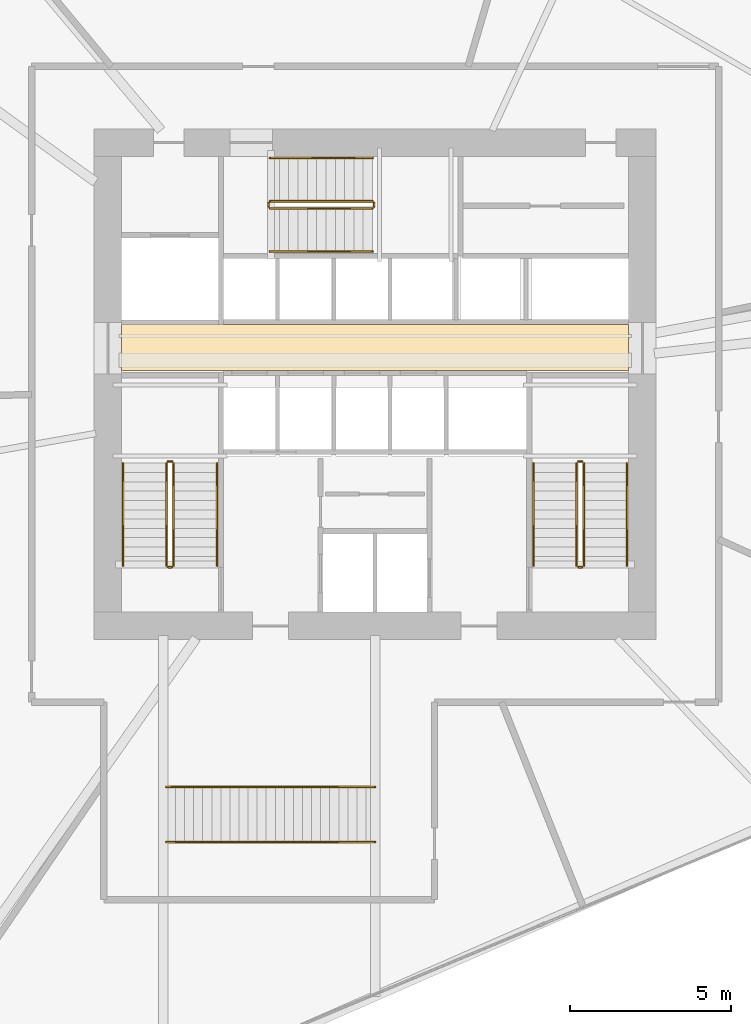
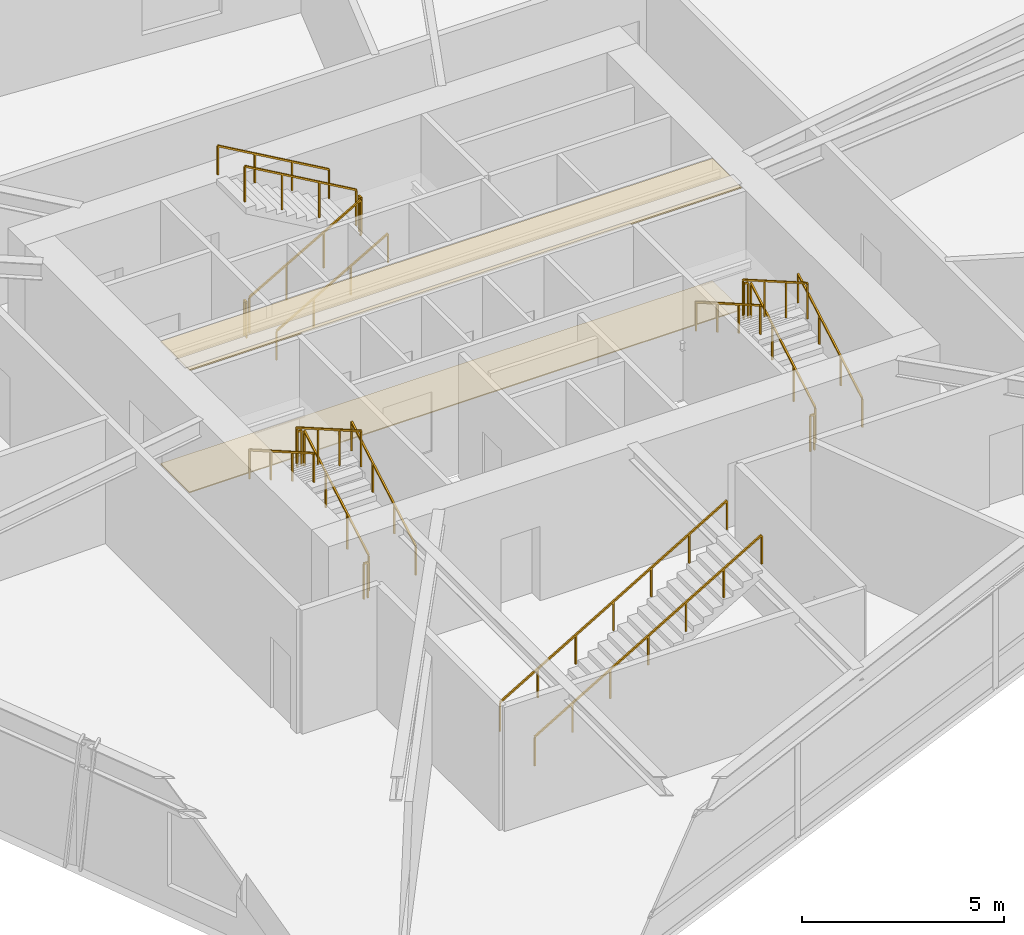
# One storey, part 17 of 19: 20 railings, 2 coverings.
"""IFC4 building model written with IfcOpenShell, lengths in metres."""

from ifc_helpers import new_model, si_unit, direction, frame, origin, origin_2d, place, context, subcontext, project, spatial, polyline, rectangle, outline, extrude, material, layer, layer_set, type_object, element, save


model = new_model("IFC4")

# Units and contexts
model_context = context("Model", 3, precision=1e-05, world=origin(), true_north=direction((0.0, 1.0)))
body_context = subcontext(model_context, "Body", "Model", "MODEL_VIEW")
ifc_project = project(units=[si_unit("LENGTHUNIT", "METRE"), si_unit("AREAUNIT", "SQUARE_METRE"), si_unit("VOLUMEUNIT", "CUBIC_METRE"), si_unit("PLANEANGLEUNIT", "RADIAN"), si_unit("MASSUNIT", "GRAM", prefix="KILO")], contexts=[model_context])

# Site, building, storey
site_placement = place(None, origin())
site = spatial("IfcSite", under=ifc_project, at=site_placement, CompositionType="ELEMENT")
building_placement = place(site_placement, origin())
building = spatial("IfcBuilding", under=site, at=building_placement, Name="Olszyna Solenne Hotel", CompositionType="ELEMENT")
storey_placement = place(building_placement, frame((0.0, 0.0, 71.89990234375)))
storey = spatial("IfcBuildingStorey", under=building, at=storey_placement, Name="L18", CompositionType="ELEMENT", Elevation=71.89990234375)

# Coverings
ifc_material_1 = material(Name="Mineral wool acoustic ceiling")
ifc_layer_1 = layer(ifc_material_1, 0.0400390625, Name="Mineral wool acoustic ceiling")
ifc_layer_set_1 = layer_set([ifc_layer_1], Name="Mineral wool acoustic ceiling")
covering_type_1 = type_object("IfcCoveringType", Name="CL-AC1", PredefinedType="CEILING", material=ifc_layer_set_1)
covering_1_placement = place(storey_placement, frame((0.0, 0.0, 3.690185546875)))
element("IfcCovering", 1, at=covering_1_placement, inside=storey, type_object=covering_type_1, Name="Lift lobby acoustic tile ceiling CL-L18-01", PredefinedType="CEILING", context=body_context, shape_type="SweptSolid", body=[
    extrude(outline(polyline([(30.10009765625, 27.030029296875), (45.89990234375, 27.030029296875), (45.89990234375, 28.4599609375), (30.10009765625, 28.4599609375), (30.10009765625, 27.030029296875)])), origin(), (0.0, 0.0, 1.0), 0.039794921875),
])
ifc_material_2 = material(Name="Ceramic floor tile")
ifc_layer_2 = layer(ifc_material_2, 0.030029296875, Name="Ceramic floor tile")
ifc_layer_set_2 = layer_set([ifc_layer_2], Name="Ceramic floor tile")
covering_type_2 = type_object("IfcCoveringType", Name="FL-TL1", PredefinedType="FLOORING", material=ifc_layer_set_2)
covering_2_placement = place(storey_placement, origin())
element("IfcCovering", 2, at=covering_2_placement, inside=storey, type_object=covering_type_2, Name="Lift lobby stoneware floor finish FLR-L18-01", PredefinedType="FLOORING", context=body_context, shape_type="SweptSolid", body=[
    extrude(outline(polyline([(30.10009765625, 27.030029296875), (45.89990234375, 27.030029296875), (45.89990234375, 28.4599609375), (30.10009765625, 28.4599609375), (30.10009765625, 27.030029296875)])), origin(), (0.0, 0.0, 1.0), 0.030029296875),
])

# Railings
ifc_material_3 = material(Name="Anodised bronze aluminium", Category="aluminium")
railing_type_1 = type_object("IfcRailingType", Name="GR-110", PredefinedType="BALUSTRADE", material=ifc_material_3)
railing_1_placement = place(storey_placement, frame((31.719970703125, 20.949951171875, 0.166748046875)))
element("IfcRailing", 3, at=railing_1_placement, inside=storey, type_object=railing_type_1, Name="L18 ST1 stair guard 1", PredefinedType="BALUSTRADE", context=body_context, shape_type="SweptSolid", body=[
    extrude(rectangle(XDim=0.048095703125, YDim=0.048095703125, at=origin_2d()), frame((0.0, 0.0, 1.076171875), z_axis=(0.0, 0.867019545617, 0.498274128887), x_axis=(-1.0, 0.0, 0.0)), (0.0, 0.0, 1.0), 3.67919921875),
    extrude(rectangle(XDim=0.0419921875, YDim=0.0419921875, at=origin_2d()), origin(), (0.0, 0.0, 1.0), 1.052001953125),
    extrude(rectangle(XDim=0.0419921875, YDim=0.0419921875, at=origin_2d()), frame((0.0, 1.063232421875, 0.611083984375)), (0.0, 0.0, 1.0), 1.052001953125),
    extrude(rectangle(XDim=0.0419921875, YDim=0.0419921875, at=origin_2d()), frame((0.0, 2.126708984375, 1.22216796875)), (0.0, 0.0, 1.0), 1.052001953125),
    extrude(rectangle(XDim=0.0419921875, YDim=0.0419921875, at=origin_2d()), frame((0.0, 3.18994140625, 1.833251953125)), (0.0, 0.0, 1.0), 1.052001953125),
])
railing_2_placement = place(storey_placement, frame((31.669921875, 24.18994140625, 2.0)))
element("IfcRailing", 4, at=railing_2_placement, inside=storey, type_object=railing_type_1, Name="L18 ST1 stair guard 2", PredefinedType="BALUSTRADE", context=body_context, shape_type="SweptSolid", body=[
    extrude(rectangle(XDim=0.048095703125, YDim=0.048095703125, at=origin_2d()), frame((0.0, 0.0, 1.076171875), z_axis=(-1.0, 0.0, 0.0), x_axis=(0.0, -1.0, 0.0)), (0.0, 0.0, 1.0), 0.119873046875),
    extrude(rectangle(XDim=0.0419921875, YDim=0.0419921875, at=origin_2d()), origin(), (0.0, 0.0, 1.0), 1.052001953125),
    extrude(rectangle(XDim=0.0419921875, YDim=0.0419921875, at=origin_2d()), frame((-0.119873046875, 0.0, 0.0)), (0.0, 0.0, 1.0), 1.052001953125),
])
railing_3_placement = place(storey_placement, frame((31.5, 24.139892578125, 2.166748046875)))
element("IfcRailing", 5, at=railing_3_placement, inside=storey, type_object=railing_type_1, Name="L18 ST1 stair guard 3", PredefinedType="BALUSTRADE", context=body_context, shape_type="SweptSolid", body=[
    extrude(rectangle(XDim=0.048095703125, YDim=0.048095703125, at=origin_2d()), frame((0.0, 0.0, 1.076171875), z_axis=(0.0, -0.867019545617, 0.498274128887), x_axis=(1.0, 0.0, 0.0)), (0.0, 0.0, 1.0), 3.67919921875),
    extrude(rectangle(XDim=0.0419921875, YDim=0.0419921875, at=origin_2d()), origin(), (0.0, 0.0, 1.0), 1.052001953125),
    extrude(rectangle(XDim=0.0419921875, YDim=0.0419921875, at=origin_2d()), frame((0.0, -1.063232421875, 0.611083984375)), (0.0, 0.0, 1.0), 1.052001953125),
    extrude(rectangle(XDim=0.0419921875, YDim=0.0419921875, at=origin_2d()), frame((0.0, -2.126708984375, 1.22216796875)), (0.0, 0.0, 1.0), 1.052001953125),
    extrude(rectangle(XDim=0.0419921875, YDim=0.0419921875, at=origin_2d()), frame((0.0, -3.18994140625, 1.833251953125)), (0.0, 0.0, 1.0), 1.052001953125),
])
railing_4_placement = place(storey_placement, frame((31.669921875, 20.89990234375, 0.0)))
element("IfcRailing", 6, at=railing_4_placement, inside=storey, type_object=railing_type_1, Name="L18 ST1 stair guard 4", PredefinedType="BALUSTRADE", context=body_context, shape_type="SweptSolid", body=[
    extrude(rectangle(XDim=0.048095703125, YDim=0.048095703125, at=origin_2d()), frame((0.0, 0.0, 1.076171875), z_axis=(-1.0, 0.0, 0.0), x_axis=(0.0, -1.0, 0.0)), (0.0, 0.0, 1.0), 0.119873046875),
    extrude(rectangle(XDim=0.0419921875, YDim=0.0419921875, at=origin_2d()), origin(), (0.0, 0.0, 1.0), 1.052001953125),
    extrude(rectangle(XDim=0.0419921875, YDim=0.0419921875, at=origin_2d()), frame((-0.119873046875, 0.0, 0.0)), (0.0, 0.0, 1.0), 1.052001953125),
])
railing_5_placement = place(storey_placement, frame((44.5, 20.949951171875, 0.166748046875)))
element("IfcRailing", 7, at=railing_5_placement, inside=storey, type_object=railing_type_1, Name="L18 ST2 stair guard 1", PredefinedType="BALUSTRADE", context=body_context, shape_type="SweptSolid", body=[
    extrude(rectangle(XDim=0.048095703125, YDim=0.048095703125, at=origin_2d()), frame((0.0, 0.0, 1.076171875), z_axis=(0.0, 0.867019545617, 0.498274128887), x_axis=(-1.0, 0.0, 0.0)), (0.0, 0.0, 1.0), 3.67919921875),
    extrude(rectangle(XDim=0.0419921875, YDim=0.0419921875, at=origin_2d()), origin(), (0.0, 0.0, 1.0), 1.052001953125),
    extrude(rectangle(XDim=0.0419921875, YDim=0.0419921875, at=origin_2d()), frame((0.0, 1.063232421875, 0.611083984375)), (0.0, 0.0, 1.0), 1.052001953125),
    extrude(rectangle(XDim=0.0419921875, YDim=0.0419921875, at=origin_2d()), frame((0.0, 2.126708984375, 1.22216796875)), (0.0, 0.0, 1.0), 1.052001953125),
    extrude(rectangle(XDim=0.0419921875, YDim=0.0419921875, at=origin_2d()), frame((0.0, 3.18994140625, 1.833251953125)), (0.0, 0.0, 1.0), 1.052001953125),
])
railing_6_placement = place(storey_placement, frame((44.449951171875, 24.18994140625, 2.0)))
element("IfcRailing", 8, at=railing_6_placement, inside=storey, type_object=railing_type_1, Name="L18 ST2 stair guard 2", PredefinedType="BALUSTRADE", context=body_context, shape_type="SweptSolid", body=[
    extrude(rectangle(XDim=0.048095703125, YDim=0.048095703125, at=origin_2d()), frame((0.0, 0.0, 1.076171875), z_axis=(-1.0, 0.0, 0.0), x_axis=(0.0, -1.0, 0.0)), (0.0, 0.0, 1.0), 0.119873046875),
    extrude(rectangle(XDim=0.0419921875, YDim=0.0419921875, at=origin_2d()), origin(), (0.0, 0.0, 1.0), 1.052001953125),
    extrude(rectangle(XDim=0.0419921875, YDim=0.0419921875, at=origin_2d()), frame((-0.119873046875, 0.0, 0.0)), (0.0, 0.0, 1.0), 1.052001953125),
])
railing_7_placement = place(storey_placement, frame((44.280029296875, 24.139892578125, 2.166748046875)))
element("IfcRailing", 9, at=railing_7_placement, inside=storey, type_object=railing_type_1, Name="L18 ST2 stair guard 3", PredefinedType="BALUSTRADE", context=body_context, shape_type="SweptSolid", body=[
    extrude(rectangle(XDim=0.048095703125, YDim=0.048095703125, at=origin_2d()), frame((0.0, 0.0, 1.076171875), z_axis=(0.0, -0.867019545617, 0.498274128887), x_axis=(1.0, 0.0, 0.0)), (0.0, 0.0, 1.0), 3.67919921875),
    extrude(rectangle(XDim=0.0419921875, YDim=0.0419921875, at=origin_2d()), origin(), (0.0, 0.0, 1.0), 1.052001953125),
    extrude(rectangle(XDim=0.0419921875, YDim=0.0419921875, at=origin_2d()), frame((0.0, -1.063232421875, 0.611083984375)), (0.0, 0.0, 1.0), 1.052001953125),
    extrude(rectangle(XDim=0.0419921875, YDim=0.0419921875, at=origin_2d()), frame((0.0, -2.126708984375, 1.22216796875)), (0.0, 0.0, 1.0), 1.052001953125),
    extrude(rectangle(XDim=0.0419921875, YDim=0.0419921875, at=origin_2d()), frame((0.0, -3.18994140625, 1.833251953125)), (0.0, 0.0, 1.0), 1.052001953125),
])
railing_8_placement = place(storey_placement, frame((44.449951171875, 20.89990234375, 0.0)))
element("IfcRailing", 10, at=railing_8_placement, inside=storey, type_object=railing_type_1, Name="L18 ST2 stair guard 4", PredefinedType="BALUSTRADE", context=body_context, shape_type="SweptSolid", body=[
    extrude(rectangle(XDim=0.048095703125, YDim=0.048095703125, at=origin_2d()), frame((0.0, 0.0, 1.076171875), z_axis=(-1.0, 0.0, 0.0), x_axis=(0.0, -1.0, 0.0)), (0.0, 0.0, 1.0), 0.119873046875),
    extrude(rectangle(XDim=0.0419921875, YDim=0.0419921875, at=origin_2d()), origin(), (0.0, 0.0, 1.0), 1.052001953125),
    extrude(rectangle(XDim=0.0419921875, YDim=0.0419921875, at=origin_2d()), frame((-0.119873046875, 0.0, 0.0)), (0.0, 0.0, 1.0), 1.052001953125),
])
railing_9_placement = place(storey_placement, frame((34.72998046875, 32.080078125, 0.166748046875)))
element("IfcRailing", 11, at=railing_9_placement, inside=storey, type_object=railing_type_1, Name="L18 ST3 stair guard 1", PredefinedType="BALUSTRADE", context=body_context, shape_type="SweptSolid", body=[
    extrude(rectangle(XDim=0.048095703125, YDim=0.048095703125, at=origin_2d()), frame((0.0, 0.0, 1.076171875), z_axis=(0.867019545617, 0.0, 0.498274128887), x_axis=(0.0, 1.0, 0.0)), (0.0, 0.0, 1.0), 3.67919921875),
    extrude(rectangle(XDim=0.0419921875, YDim=0.0419921875, at=origin_2d()), origin(), (0.0, 0.0, 1.0), 1.052001953125),
    extrude(rectangle(XDim=0.0419921875, YDim=0.0419921875, at=origin_2d()), frame((1.063232421875, 0.0, 0.611083984375)), (0.0, 0.0, 1.0), 1.052001953125),
    extrude(rectangle(XDim=0.0419921875, YDim=0.0419921875, at=origin_2d()), frame((2.126708984375, 0.0, 1.22216796875)), (0.0, 0.0, 1.0), 1.052001953125),
    extrude(rectangle(XDim=0.0419921875, YDim=0.0419921875, at=origin_2d()), frame((3.18994140625, 0.0, 1.833251953125)), (0.0, 0.0, 1.0), 1.052001953125),
])
railing_10_placement = place(storey_placement, frame((37.969970703125, 32.1298828125, 2.0)))
element("IfcRailing", 12, at=railing_10_placement, inside=storey, type_object=railing_type_1, Name="L18 ST3 stair guard 2", PredefinedType="BALUSTRADE", context=body_context, shape_type="SweptSolid", body=[
    extrude(rectangle(XDim=0.048095703125, YDim=0.048095703125, at=origin_2d()), frame((0.0, 0.0, 1.076171875), z_axis=(0.0, 1.0, 0.0), x_axis=(-1.0, 0.0, 0.0)), (0.0, 0.0, 1.0), 0.1201171875),
    extrude(rectangle(XDim=0.0419921875, YDim=0.0419921875, at=origin_2d()), origin(), (0.0, 0.0, 1.0), 1.052001953125),
    extrude(rectangle(XDim=0.0419921875, YDim=0.0419921875, at=origin_2d()), frame((0.0, 0.1201171875, 0.0)), (0.0, 0.0, 1.0), 1.052001953125),
])
railing_11_placement = place(storey_placement, frame((37.919921875, 32.300048828125, 2.166748046875)))
element("IfcRailing", 13, at=railing_11_placement, inside=storey, type_object=railing_type_1, Name="L18 ST3 stair guard 3", PredefinedType="BALUSTRADE", context=body_context, shape_type="SweptSolid", body=[
    extrude(rectangle(XDim=0.048095703125, YDim=0.048095703125, at=origin_2d()), frame((0.0, 0.0, 1.076171875), z_axis=(-0.867019545617, 0.0, 0.498274128887), x_axis=(0.0, -1.0, 0.0)), (0.0, 0.0, 1.0), 3.67919921875),
    extrude(rectangle(XDim=0.0419921875, YDim=0.0419921875, at=origin_2d()), origin(), (0.0, 0.0, 1.0), 1.052001953125),
    extrude(rectangle(XDim=0.0419921875, YDim=0.0419921875, at=origin_2d()), frame((-1.063232421875, 0.0, 0.611083984375)), (0.0, 0.0, 1.0), 1.052001953125),
    extrude(rectangle(XDim=0.0419921875, YDim=0.0419921875, at=origin_2d()), frame((-2.126708984375, 0.0, 1.22216796875)), (0.0, 0.0, 1.0), 1.052001953125),
    extrude(rectangle(XDim=0.0419921875, YDim=0.0419921875, at=origin_2d()), frame((-3.18994140625, 0.0, 1.833251953125)), (0.0, 0.0, 1.0), 1.052001953125),
])
railing_12_placement = place(storey_placement, frame((34.679931640625, 32.1298828125, 0.0)))
element("IfcRailing", 14, at=railing_12_placement, inside=storey, type_object=railing_type_1, Name="L18 ST3 stair guard 4", PredefinedType="BALUSTRADE", context=body_context, shape_type="SweptSolid", body=[
    extrude(rectangle(XDim=0.048095703125, YDim=0.048095703125, at=origin_2d()), frame((0.0, 0.0, 1.076171875), z_axis=(0.0, 1.0, 0.0), x_axis=(-1.0, 0.0, 0.0)), (0.0, 0.0, 1.0), 0.1201171875),
    extrude(rectangle(XDim=0.0419921875, YDim=0.0419921875, at=origin_2d()), origin(), (0.0, 0.0, 1.0), 1.052001953125),
    extrude(rectangle(XDim=0.0419921875, YDim=0.0419921875, at=origin_2d()), frame((0.0, 0.1201171875, 0.0)), (0.0, 0.0, 1.0), 1.052001953125),
])
ifc_material_4 = material(Name="Steel S355J2", Category="steel")
railing_type_2 = type_object("IfcRailingType", Name="HR-090", PredefinedType="HANDRAIL", material=ifc_material_4)
railing_13_placement = place(storey_placement, frame((33.070068359375, 20.949951171875, 0.166748046875)))
element("IfcRailing", 15, at=railing_13_placement, inside=storey, type_object=railing_type_2, Name="L18 ST1 stair handrail 1", PredefinedType="HANDRAIL", context=body_context, shape_type="SweptSolid", body=[
    extrude(rectangle(XDim=0.048095703125, YDim=0.048095703125, at=origin_2d()), frame((0.0, 0.0, 0.8759765625), z_axis=(0.0, 0.867019545617, 0.498274128887), x_axis=(-1.0, 0.0, 0.0)), (0.0, 0.0, 1.0), 3.67919921875),
    extrude(rectangle(XDim=0.0419921875, YDim=0.0419921875, at=origin_2d()), origin(), (0.0, 0.0, 1.0), 0.851806640625),
    extrude(rectangle(XDim=0.0419921875, YDim=0.0419921875, at=origin_2d()), frame((0.0, 1.063232421875, 0.611083984375)), (0.0, 0.0, 1.0), 0.851806640625),
    extrude(rectangle(XDim=0.0419921875, YDim=0.0419921875, at=origin_2d()), frame((0.0, 2.126708984375, 1.22216796875)), (0.0, 0.0, 1.0), 0.851806640625),
    extrude(rectangle(XDim=0.0419921875, YDim=0.0419921875, at=origin_2d()), frame((0.0, 3.18994140625, 1.833251953125)), (0.0, 0.0, 1.0), 0.851806640625),
])
railing_14_placement = place(storey_placement, frame((30.14990234375, 24.139892578125, 2.166748046875)))
element("IfcRailing", 16, at=railing_14_placement, inside=storey, type_object=railing_type_2, Name="L18 ST1 stair handrail 2", PredefinedType="HANDRAIL", context=body_context, shape_type="SweptSolid", body=[
    extrude(rectangle(XDim=0.048095703125, YDim=0.048095703125, at=origin_2d()), frame((0.0, 0.0, 0.8759765625), z_axis=(0.0, -0.867019545617, 0.498274128887), x_axis=(1.0, 0.0, 0.0)), (0.0, 0.0, 1.0), 3.67919921875),
    extrude(rectangle(XDim=0.0419921875, YDim=0.0419921875, at=origin_2d()), origin(), (0.0, 0.0, 1.0), 0.851806640625),
    extrude(rectangle(XDim=0.0419921875, YDim=0.0419921875, at=origin_2d()), frame((0.0, -1.063232421875, 0.611083984375)), (0.0, 0.0, 1.0), 0.851806640625),
    extrude(rectangle(XDim=0.0419921875, YDim=0.0419921875, at=origin_2d()), frame((0.0, -2.126708984375, 1.22216796875)), (0.0, 0.0, 1.0), 0.851806640625),
    extrude(rectangle(XDim=0.0419921875, YDim=0.0419921875, at=origin_2d()), frame((0.0, -3.18994140625, 1.833251953125)), (0.0, 0.0, 1.0), 0.851806640625),
])
railing_15_placement = place(storey_placement, frame((45.85009765625, 20.949951171875, 0.166748046875)))
element("IfcRailing", 17, at=railing_15_placement, inside=storey, type_object=railing_type_2, Name="L18 ST2 stair handrail 1", PredefinedType="HANDRAIL", context=body_context, shape_type="SweptSolid", body=[
    extrude(rectangle(XDim=0.048095703125, YDim=0.048095703125, at=origin_2d()), frame((0.0, 0.0, 0.8759765625), z_axis=(0.0, 0.867019545617, 0.498274128887), x_axis=(-1.0, 0.0, 0.0)), (0.0, 0.0, 1.0), 3.67919921875),
    extrude(rectangle(XDim=0.0419921875, YDim=0.0419921875, at=origin_2d()), origin(), (0.0, 0.0, 1.0), 0.851806640625),
    extrude(rectangle(XDim=0.0419921875, YDim=0.0419921875, at=origin_2d()), frame((0.0, 1.063232421875, 0.611083984375)), (0.0, 0.0, 1.0), 0.851806640625),
    extrude(rectangle(XDim=0.0419921875, YDim=0.0419921875, at=origin_2d()), frame((0.0, 2.126708984375, 1.22216796875)), (0.0, 0.0, 1.0), 0.851806640625),
    extrude(rectangle(XDim=0.0419921875, YDim=0.0419921875, at=origin_2d()), frame((0.0, 3.18994140625, 1.833251953125)), (0.0, 0.0, 1.0), 0.851806640625),
])
railing_16_placement = place(storey_placement, frame((42.929931640625, 24.139892578125, 2.166748046875)))
element("IfcRailing", 18, at=railing_16_placement, inside=storey, type_object=railing_type_2, Name="L18 ST2 stair handrail 2", PredefinedType="HANDRAIL", context=body_context, shape_type="SweptSolid", body=[
    extrude(rectangle(XDim=0.048095703125, YDim=0.048095703125, at=origin_2d()), frame((0.0, 0.0, 0.8759765625), z_axis=(0.0, -0.867019545617, 0.498274128887), x_axis=(1.0, 0.0, 0.0)), (0.0, 0.0, 1.0), 3.67919921875),
    extrude(rectangle(XDim=0.0419921875, YDim=0.0419921875, at=origin_2d()), origin(), (0.0, 0.0, 1.0), 0.851806640625),
    extrude(rectangle(XDim=0.0419921875, YDim=0.0419921875, at=origin_2d()), frame((0.0, -1.063232421875, 0.611083984375)), (0.0, 0.0, 1.0), 0.851806640625),
    extrude(rectangle(XDim=0.0419921875, YDim=0.0419921875, at=origin_2d()), frame((0.0, -2.126708984375, 1.22216796875)), (0.0, 0.0, 1.0), 0.851806640625),
    extrude(rectangle(XDim=0.0419921875, YDim=0.0419921875, at=origin_2d()), frame((0.0, -3.18994140625, 1.833251953125)), (0.0, 0.0, 1.0), 0.851806640625),
])
railing_17_placement = place(storey_placement, frame((34.72998046875, 30.72998046875, 0.166748046875)))
element("IfcRailing", 19, at=railing_17_placement, inside=storey, type_object=railing_type_2, Name="L18 ST3 stair handrail 1", PredefinedType="HANDRAIL", context=body_context, shape_type="SweptSolid", body=[
    extrude(rectangle(XDim=0.048095703125, YDim=0.048095703125, at=origin_2d()), frame((0.0, 0.0, 0.8759765625), z_axis=(0.867019545617, 0.0, 0.498274128887), x_axis=(0.0, 1.0, 0.0)), (0.0, 0.0, 1.0), 3.67919921875),
    extrude(rectangle(XDim=0.0419921875, YDim=0.0419921875, at=origin_2d()), origin(), (0.0, 0.0, 1.0), 0.851806640625),
    extrude(rectangle(XDim=0.0419921875, YDim=0.0419921875, at=origin_2d()), frame((1.063232421875, 0.0, 0.611083984375)), (0.0, 0.0, 1.0), 0.851806640625),
    extrude(rectangle(XDim=0.0419921875, YDim=0.0419921875, at=origin_2d()), frame((2.126708984375, 0.0, 1.22216796875)), (0.0, 0.0, 1.0), 0.851806640625),
    extrude(rectangle(XDim=0.0419921875, YDim=0.0419921875, at=origin_2d()), frame((3.18994140625, 0.0, 1.833251953125)), (0.0, 0.0, 1.0), 0.851806640625),
])
railing_18_placement = place(storey_placement, frame((37.919921875, 33.64990234375, 2.166748046875)))
element("IfcRailing", 20, at=railing_18_placement, inside=storey, type_object=railing_type_2, Name="L18 ST3 stair handrail 2", PredefinedType="HANDRAIL", context=body_context, shape_type="SweptSolid", body=[
    extrude(rectangle(XDim=0.048095703125, YDim=0.048095703125, at=origin_2d()), frame((0.0, 0.0, 0.8759765625), z_axis=(-0.867019545617, 0.0, 0.498274128887), x_axis=(0.0, -1.0, 0.0)), (0.0, 0.0, 1.0), 3.67919921875),
    extrude(rectangle(XDim=0.0419921875, YDim=0.0419921875, at=origin_2d()), origin(), (0.0, 0.0, 1.0), 0.851806640625),
    extrude(rectangle(XDim=0.0419921875, YDim=0.0419921875, at=origin_2d()), frame((-1.063232421875, 0.0, 0.611083984375)), (0.0, 0.0, 1.0), 0.851806640625),
    extrude(rectangle(XDim=0.0419921875, YDim=0.0419921875, at=origin_2d()), frame((-2.126708984375, 0.0, 1.22216796875)), (0.0, 0.0, 1.0), 0.851806640625),
    extrude(rectangle(XDim=0.0419921875, YDim=0.0419921875, at=origin_2d()), frame((-3.18994140625, 0.0, 1.833251953125)), (0.0, 0.0, 1.0), 0.851806640625),
])
for number, where, name in (
    (21, (31.500244140625, 12.340087890625, 0.166748046875), "Feature stair handrail HR-FS-02-S"),
    (22, (31.500244140625, 14.06005859375, 0.166748046875), "Feature stair handrail HR-FS-02-N"),
):
    element("IfcRailing", number, at=place(storey_placement, frame(where)), inside=storey, type_object=railing_type_2, Name=name, PredefinedType="HANDRAIL", context=body_context, shape_type="SweptSolid", body=[
        extrude(rectangle(XDim=0.048095703125, YDim=0.048095703125, at=origin_2d()), frame((0.0, 0.0, 0.8759765625), z_axis=(0.861362273394, 0.0, 0.507991175095), x_axis=(0.0, 1.0, 0.0)), (0.0, 0.0, 1.0), 7.5458984375),
        extrude(rectangle(XDim=0.0419921875, YDim=0.0419921875, at=origin_2d()), origin(), (0.0, 0.0, 1.0), 0.851806640625),
        extrude(rectangle(XDim=0.0419921875, YDim=0.0419921875, at=origin_2d()), frame((1.083251953125, 0.0, 0.638916015625)), (0.0, 0.0, 1.0), 0.851806640625),
        extrude(rectangle(XDim=0.0419921875, YDim=0.0419921875, at=origin_2d()), frame((2.16650390625, 0.0, 1.27783203125)), (0.0, 0.0, 1.0), 0.851806640625),
        extrude(rectangle(XDim=0.0419921875, YDim=0.0419921875, at=origin_2d()), frame((3.25, 0.0, 1.91650390625)), (0.0, 0.0, 1.0), 0.851806640625),
        extrude(rectangle(XDim=0.0419921875, YDim=0.0419921875, at=origin_2d()), frame((4.333251953125, 0.0, 2.555419921875)), (0.0, 0.0, 1.0), 0.851806640625),
        extrude(rectangle(XDim=0.0419921875, YDim=0.0419921875, at=origin_2d()), frame((5.41650390625, 0.0, 3.1943359375)), (0.0, 0.0, 1.0), 0.851806640625),
        extrude(rectangle(XDim=0.0419921875, YDim=0.0419921875, at=origin_2d()), frame((6.499755859375, 0.0, 3.833251953125)), (0.0, 0.0, 1.0), 0.851806640625),
    ])

save(model, "model.ifc")
